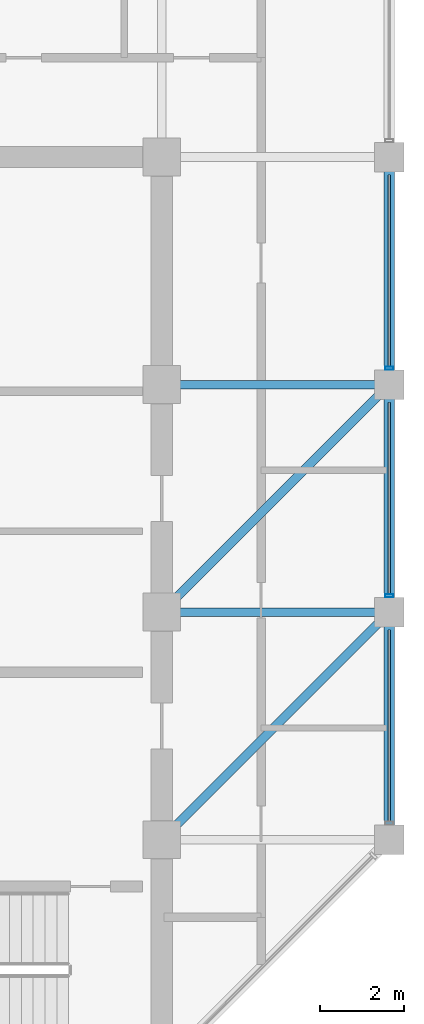
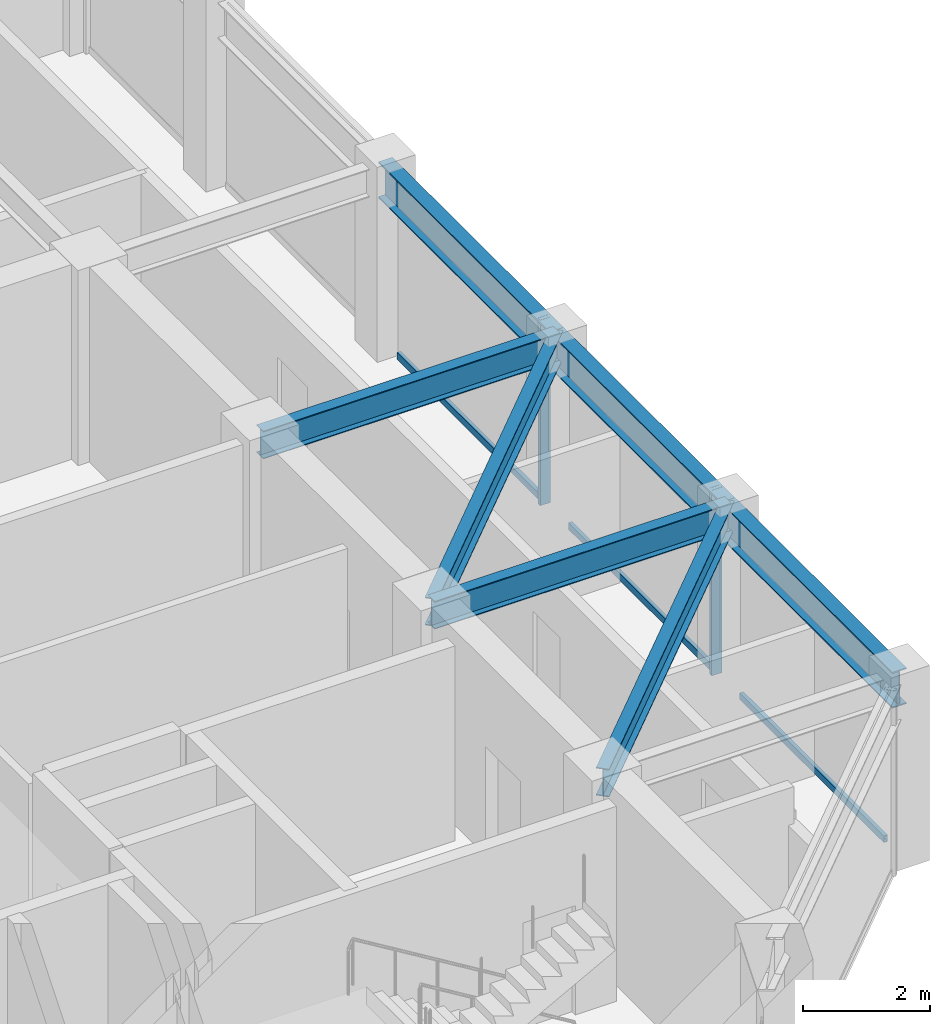
# One storey, part 13 of 31: 7 beams, 5 members, 1 element without a shape of its own.
"""IFC4 building model written with IfcOpenShell, lengths in metres."""

from ifc_helpers import new_model, si_unit, direction, frame, origin, origin_2d, place, context, subcontext, project, spatial, hollow_rectangle, i_section, extrude, material, layer, layer_set, material_profile, profile_set, type_object, element, aggregate, save


model = new_model("IFC4")

# Units and contexts
model_context = context("Model", 3, precision=1e-05, world=origin(), true_north=direction((0.0, 1.0)))
body_context = subcontext(model_context, "Body", "Model", "MODEL_VIEW")
ifc_project = project(units=[si_unit("LENGTHUNIT", "METRE"), si_unit("AREAUNIT", "SQUARE_METRE"), si_unit("VOLUMEUNIT", "CUBIC_METRE"), si_unit("PLANEANGLEUNIT", "RADIAN"), si_unit("MASSUNIT", "GRAM", prefix="KILO")], contexts=[model_context])

# Site, building, storey
site_placement = place(None, origin())
site = spatial("IfcSite", under=ifc_project, at=site_placement, CompositionType="ELEMENT")
building_placement = place(site_placement, origin())
building = spatial("IfcBuilding", under=site, at=building_placement, Name="Surkhivell Harbour Commons", CompositionType="ELEMENT")
storey_placement = place(building_placement, frame((0.0, 0.0, 285.0)))
storey = spatial("IfcBuildingStorey", under=building, at=storey_placement, Name="L74", CompositionType="ELEMENT", Elevation=285.0)

# Beams
ifc_material_1 = material(Name="Steel S355", Category="steel")
ifc_material_profile_1 = material_profile(ifc_material_1, i_section(OverallWidth=0.2099609375, OverallDepth=0.537109375, WebThickness=0.0107421875, FlangeThickness=0.017333984375, at=origin_2d()), Name="UB533x210x101")
ifc_profile_set_1 = profile_set([ifc_material_profile_1], Name="Steel S355")
beam_type_1 = type_object("IfcBeamType", Name="BM-GRD-533B", PredefinedType="BEAM", material=ifc_profile_set_1)
beam_1_placement = place(storey_placement, frame((10.800048828125, -5.39990234375, 3.301513671875), z_axis=(0.707106781187, 0.707106781187, 0.0), x_axis=(-0.707106781187, 0.707106781187, 0.0)))
element("IfcBeam", 1, at=beam_1_placement, inside=storey, type_object=beam_type_1, Name="L74 Floor Girder (10.8,-5.4)", PredefinedType="BEAM", context=body_context, shape_type="SweptSolid", body=[
    extrude(i_section(OverallWidth=0.2099609375, OverallDepth=0.537109375, WebThickness=0.0107421875, FlangeThickness=0.017333984375, at=origin_2d()), origin(), (0.0, 0.0, 1.0), 7.63671875),
])
beam_2_placement = place(storey_placement, frame((10.800048828125, 0.0, 3.301513671875), z_axis=(1.0, 0.0, 0.0), x_axis=(0.0, 1.0, 0.0)))
element("IfcBeam", 2, at=beam_2_placement, inside=storey, type_object=beam_type_1, Name="L74 Floor Girder (10.8,0.0)", PredefinedType="BEAM", context=body_context, shape_type="SweptSolid", body=[
    extrude(i_section(OverallWidth=0.2099609375, OverallDepth=0.537109375, WebThickness=0.0107421875, FlangeThickness=0.017333984375, at=origin_2d()), origin(), (0.0, 0.0, 1.0), 5.39990234375),
])
beam_3_placement = place(storey_placement, frame((10.800048828125, 0.0, 3.301513671875), z_axis=(0.707106781187, 0.707106781187, 0.0), x_axis=(-0.707106781187, 0.707106781187, 0.0)))
element("IfcBeam", 3, at=beam_3_placement, inside=storey, type_object=beam_type_1, Name="L74 Floor Girder (10.8,0.0)", PredefinedType="BEAM", context=body_context, shape_type="SweptSolid", body=[
    extrude(i_section(OverallWidth=0.2099609375, OverallDepth=0.537109375, WebThickness=0.0107421875, FlangeThickness=0.017333984375, at=origin_2d()), origin(), (0.0, 0.0, 1.0), 7.63671875),
])
beam_4_placement = place(storey_placement, frame((10.800048828125, 5.39990234375, 3.301513671875), z_axis=(1.0, 0.0, 0.0), x_axis=(0.0, 1.0, 0.0)))
element("IfcBeam", 4, at=beam_4_placement, inside=storey, type_object=beam_type_1, Name="L74 Floor Girder (10.8,5.4)", PredefinedType="BEAM", context=body_context, shape_type="SweptSolid", body=[
    extrude(i_section(OverallWidth=0.2099609375, OverallDepth=0.537109375, WebThickness=0.0107421875, FlangeThickness=0.017333984375, at=origin_2d()), origin(), (0.0, 0.0, 1.0), 5.39990234375),
])
ifc_material_profile_2 = material_profile(ifc_material_1, i_section(OverallWidth=0.256103515625, OverallDepth=0.693115234375, WebThickness=0.014404296875, FlangeThickness=0.023681640625, at=origin_2d()), Name="UB686x254x170")
ifc_profile_set_2 = profile_set([ifc_material_profile_2], Name="Steel S355")
beam_type_2 = type_object("IfcBeamType", Name="BM-SPN-686", PredefinedType="SPANDREL", material=ifc_profile_set_2)
for number, where, z_axis, x_axis, name in (
    (5, (16.199951171875, -5.39990234375, 3.223388671875), (0.0, 1.0, 0.0), (-1.0, 0.0, 0.0), "L74 Tube Spandrel (16.2,-5.4)"),
    (6, (16.199951171875, 0.0, 3.223388671875), (0.0, 1.0, 0.0), (-1.0, 0.0, 0.0), "L74 Tube Spandrel (16.2,0.0)"),
):
    element("IfcBeam", number, at=place(storey_placement, frame(where, z_axis=z_axis, x_axis=x_axis)), inside=storey, type_object=beam_type_2, Name=name, PredefinedType="SPANDREL", context=body_context, shape_type="SweptSolid", body=[
        extrude(i_section(OverallWidth=0.256103515625, OverallDepth=0.693115234375, WebThickness=0.014404296875, FlangeThickness=0.023681640625, at=origin_2d()), origin(), (0.0, 0.0, 1.0), 5.39990234375),
    ])
beam_5_placement = place(storey_placement, frame((16.199951171875, 5.39990234375, 3.223388671875), z_axis=(0.0, 1.0, 0.0), x_axis=(-1.0, 0.0, 0.0)))
element("IfcBeam", 7, at=beam_5_placement, inside=storey, type_object=beam_type_2, Name="L74 Tube Spandrel (16.2,5.4)", PredefinedType="SPANDREL", context=body_context, shape_type="SweptSolid", body=[
    extrude(i_section(OverallWidth=0.256103515625, OverallDepth=0.693115234375, WebThickness=0.014404296875, FlangeThickness=0.023681640625, at=origin_2d()), origin(), (0.0, 0.0, 1.0), 5.400146484375),
])

# Curtain wall, members
ifc_material_2 = material(Name="Anodised pale-metal aluminium and insulated glazing", Category="aluminium")
ifc_layer = layer(ifc_material_2, 0.175048828125)
ifc_layer_set = layer_set([ifc_layer], Name="Anodised pale-metal aluminium and insulated glazing")
curtain_wall_type = type_object("IfcCurtainWallType", Name="CW-SYS-Z4", PredefinedType="NOTDEFINED", material=ifc_layer_set)
curtain_wall_placement = place(storey_placement, origin())
curtain_wall = element("IfcCurtainWall", 8, at=curtain_wall_placement, inside=storey, type_object=curtain_wall_type, Name="L74 Curtain Wall CW-L74-E02", PredefinedType="NOTDEFINED")
ifc_material_3 = material(Name="Anodised pale-metal aluminium alloy 6063-T6", Category="aluminium")
ifc_material_profile_3 = material_profile(ifc_material_3, hollow_rectangle(XDim=0.074951171875, YDim=0.18994140625, WallThickness=0.00390625, at=origin_2d()), Name="ALU-MULL-75x190")
ifc_profile_set_3 = profile_set([ifc_material_profile_3], Name="Anodised pale-metal aluminium alloy 6063-T6")
member_type_1 = type_object("IfcMemberType", Name="CWM-190", PredefinedType="MULLION", material=ifc_profile_set_3)
member_1_placement = place(storey_placement, frame((16.199951171875, 0.389404296875, 0.0), z_axis=(0.0, 0.0, 1.0), x_axis=(0.0, 1.0, 0.0)))
member_1 = element("IfcMember", 9, at=member_1_placement, type_object=member_type_1, Name="CW-Z4 mullion 2", PredefinedType="MULLION", context=body_context, shape_type="SweptSolid", body=[
    extrude(hollow_rectangle(XDim=0.074951171875, YDim=0.18994140625, WallThickness=0.00390625, at=origin_2d()), origin(), (0.0, 0.0, 1.0), 3.570068359375),
])
member_2_placement = place(storey_placement, frame((16.199951171875, 5.78955078125, 0.0), z_axis=(0.0, 0.0, 1.0), x_axis=(0.0, 1.0, 0.0)))
member_2 = element("IfcMember", 10, at=member_2_placement, type_object=member_type_1, Name="CW-Z4 mullion 3", PredefinedType="MULLION", context=body_context, shape_type="SweptSolid", body=[
    extrude(hollow_rectangle(XDim=0.074951171875, YDim=0.18994140625, WallThickness=0.00390625, at=origin_2d()), origin(), (0.0, 0.0, 1.0), 3.570068359375),
])
ifc_material_4 = material(Name="Champagne anodised aluminium alloy 6063-T6", Category="aluminium")
ifc_material_profile_4 = material_profile(ifc_material_4, hollow_rectangle(XDim=0.070068359375, YDim=0.1298828125, WallThickness=0.00341796875, at=origin_2d()), Name="ALU-TRAN-70x130")
ifc_profile_set_4 = profile_set([ifc_material_profile_4], Name="Champagne anodised aluminium alloy 6063-T6")
member_type_2 = type_object("IfcMemberType", Name="CWT-130", PredefinedType="USERDEFINED", material=ifc_profile_set_4)
member_3_placement = place(storey_placement, frame((16.199951171875, -4.972900390625, 0.06494140625), z_axis=(0.0, 1.0, 0.0), x_axis=(-1.0, 0.0, 0.0)))
member_3 = element("IfcMember", 11, at=member_3_placement, type_object=member_type_2, Name="CW-Z4 transom 1.1", ObjectType="TRANSOM", PredefinedType="USERDEFINED", context=body_context, shape_type="SweptSolid", body=[
    extrude(hollow_rectangle(XDim=0.070068359375, YDim=0.1298828125, WallThickness=0.00341796875, at=origin_2d()), origin(), (0.0, 0.0, 1.0), 4.5458984375),
])
member_4_placement = place(storey_placement, frame((16.199951171875, 0.427001953125, 0.06494140625), z_axis=(0.0, 1.0, 0.0), x_axis=(-1.0, 0.0, 0.0)))
member_4 = element("IfcMember", 12, at=member_4_placement, type_object=member_type_2, Name="CW-Z4 transom 2.1", ObjectType="TRANSOM", PredefinedType="USERDEFINED", context=body_context, shape_type="SweptSolid", body=[
    extrude(hollow_rectangle(XDim=0.070068359375, YDim=0.1298828125, WallThickness=0.00341796875, at=origin_2d()), origin(), (0.0, 0.0, 1.0), 4.5458984375),
])
member_5_placement = place(storey_placement, frame((16.199951171875, 5.826904296875, 0.06494140625), z_axis=(0.0, 1.0, 0.0), x_axis=(-1.0, 0.0, 0.0)))
member_5 = element("IfcMember", 13, at=member_5_placement, type_object=member_type_2, Name="CW-Z4 transom 3.1", ObjectType="TRANSOM", PredefinedType="USERDEFINED", context=body_context, shape_type="SweptSolid", body=[
    extrude(hollow_rectangle(XDim=0.070068359375, YDim=0.1298828125, WallThickness=0.00341796875, at=origin_2d()), origin(), (0.0, 0.0, 1.0), 4.546142578125),
])
aggregate(curtain_wall, [member_3, member_1, member_4, member_2, member_5])

save(model, "model.ifc")
